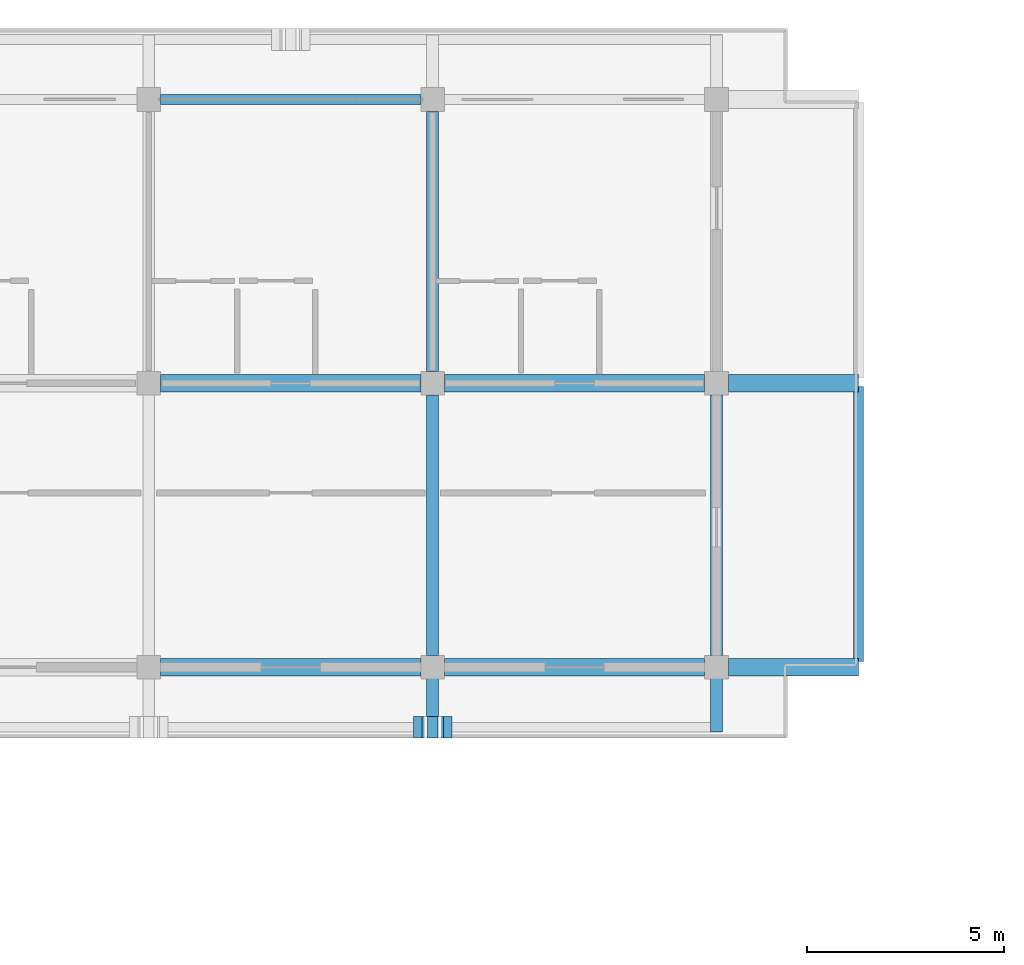
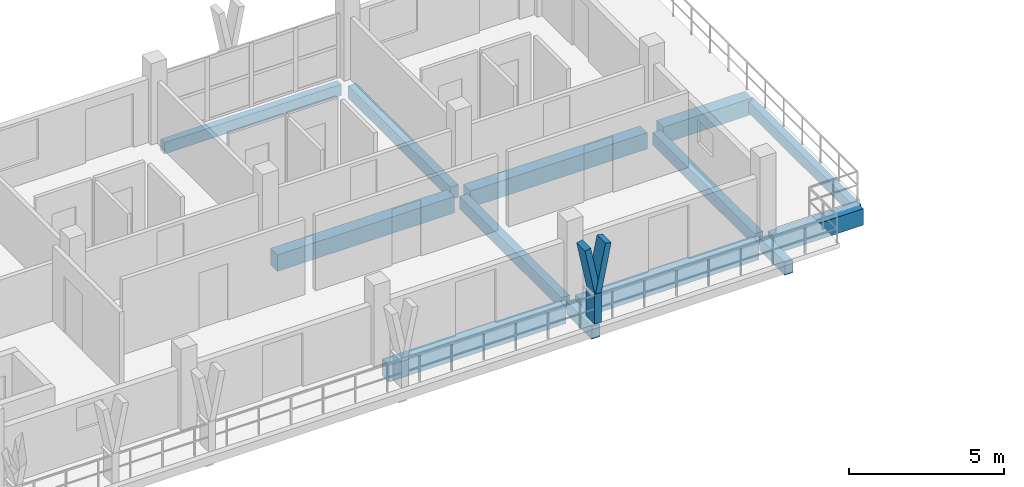
# One storey, part 14 of 56: 13 beams, 3 members.
"""IFC4 building model written with IfcOpenShell, lengths in metres."""

from ifc_helpers import new_model, si_unit, direction, frame, origin, origin_2d, place, context, subcontext, project, spatial, rectangle, extrude, material, material_profile, profile_set, type_object, element, save


model = new_model("IFC4")

# Units and contexts
model_context = context("Model", 3, precision=1e-05, world=origin(), true_north=direction((0.0, 1.0)))
body_context = subcontext(model_context, "Body", "Model", "MODEL_VIEW")
ifc_project = project(units=[si_unit("LENGTHUNIT", "METRE"), si_unit("AREAUNIT", "SQUARE_METRE"), si_unit("VOLUMEUNIT", "CUBIC_METRE"), si_unit("PLANEANGLEUNIT", "RADIAN"), si_unit("MASSUNIT", "GRAM", prefix="KILO")], contexts=[model_context])

# Site, building, storey
site_placement = place(None, origin())
site = spatial("IfcSite", under=ifc_project, at=site_placement, CompositionType="ELEMENT")
building_placement = place(site_placement, origin())
building = spatial("IfcBuilding", under=site, at=building_placement, Name="Suanplinth Sawtooth Commons", CompositionType="ELEMENT")
storey_placement = place(building_placement, frame((0.0, 0.0, 34.800048828125)))
storey = spatial("IfcBuildingStorey", under=building, at=storey_placement, Name="L10", CompositionType="ELEMENT", Elevation=34.800048828125)

# Beams
ifc_material_1 = material(Name="Precast concrete C40/50", Category="concrete")
ifc_material_profile_1 = material_profile(ifc_material_1, rectangle(XDim=0.449951171875, YDim=0.64990234375, at=origin_2d()), Name="PC-GDR 450x650")
ifc_profile_set_1 = profile_set([ifc_material_profile_1], Name="Precast concrete C40/50")
beam_type_1 = type_object("IfcBeamType", Name="B-04", PredefinedType="USERDEFINED", material=ifc_profile_set_1)
for number, where, z_axis, x_axis, name in (
    (1, (79.5, 108.0, -0.545166015625), (1.0, 0.0, 0.0), (0.0, 1.0, 0.0), "BMX-L10-A-11-15"),
    (2, (79.5, 115.199951171875, -0.545166015625), (1.0, 0.0, 0.0), (0.0, 1.0, 0.0), "BMX-L10-A-11-16"),
    (3, (86.699951171875, 108.0, -0.545166015625), (1.0, 0.0, 0.0), (0.0, 1.0, 0.0), "BMX-L10-A-12-15"),
    (4, (86.699951171875, 115.199951171875, -0.545166015625), (1.0, 0.0, 0.0), (0.0, 1.0, 0.0), "BMX-L10-A-12-16"),
):
    element("IfcBeam", number, at=place(storey_placement, frame(where, z_axis=z_axis, x_axis=x_axis)), inside=storey, type_object=beam_type_1, Name=name, ObjectType="GIRDER", PredefinedType="USERDEFINED", context=body_context, shape_type="SweptSolid", body=[
        extrude(rectangle(XDim=0.449951171875, YDim=0.64990234375, at=origin_2d()), origin(), (0.0, 0.0, 1.0), 6.60009765625),
    ])
for number, where, z_axis, x_axis, name in (
    (5, (93.89990234375, 108.0, -0.545166015625), (1.0, 0.0, 0.0), (0.0, 1.0, 0.0), "BMX-L10-A-ECANT-15"),
    (6, (93.89990234375, 115.199951171875, -0.545166015625), (1.0, 0.0, 0.0), (0.0, 1.0, 0.0), "BMX-L10-A-ECANT-16"),
):
    element("IfcBeam", number, at=place(storey_placement, frame(where, z_axis=z_axis, x_axis=x_axis)), inside=storey, type_object=beam_type_1, Name=name, ObjectType="GIRDER", PredefinedType="USERDEFINED", context=body_context, shape_type="SweptSolid", body=[
        extrude(rectangle(XDim=0.449951171875, YDim=0.64990234375, at=origin_2d()), origin(), (0.0, 0.0, 1.0), 3.300048828125),
    ])
ifc_material_profile_2 = material_profile(ifc_material_1, rectangle(XDim=0.300048828125, YDim=0.5, at=origin_2d()), Name="PC-BM 300x500")
ifc_profile_set_2 = profile_set([ifc_material_profile_2], Name="Precast concrete C40/50")
beam_type_2 = type_object("IfcBeamType", Name="B-07", PredefinedType="BEAM", material=ifc_profile_set_2)
beam_1_placement = place(storey_placement, frame((86.39990234375, 108.300048828125, -0.469970703125), z_axis=(0.0, 1.0, 0.0), x_axis=(-1.0, 0.0, 0.0)))
element("IfcBeam", 7, at=beam_1_placement, inside=storey, type_object=beam_type_2, Name="BMY-L10-A-12-15", PredefinedType="BEAM", context=body_context, shape_type="SweptSolid", body=[
    extrude(rectangle(XDim=0.300048828125, YDim=0.5, at=origin_2d()), origin(), (0.0, 0.0, 1.0), 6.599853515625),
])
beam_2_placement = place(storey_placement, frame((86.39990234375, 115.5, -0.469970703125), z_axis=(0.0, 1.0, 0.0), x_axis=(-1.0, 0.0, 0.0)))
element("IfcBeam", 8, at=beam_2_placement, inside=storey, type_object=beam_type_2, Name="BMY-L10-A-12-16", PredefinedType="BEAM", context=body_context, shape_type="SweptSolid", body=[
    extrude(rectangle(XDim=0.300048828125, YDim=0.5, at=origin_2d()), origin(), (0.0, 0.0, 1.0), 6.60009765625),
])
beam_3_placement = place(storey_placement, frame((93.60009765625, 108.300048828125, -0.469970703125), z_axis=(0.0, 1.0, 0.0), x_axis=(-1.0, 0.0, 0.0)))
element("IfcBeam", 9, at=beam_3_placement, inside=storey, type_object=beam_type_2, Name="BMY-L10-A-13-15", PredefinedType="BEAM", context=body_context, shape_type="SweptSolid", body=[
    extrude(rectangle(XDim=0.300048828125, YDim=0.5, at=origin_2d()), origin(), (0.0, 0.0, 1.0), 6.599853515625),
])
for number, where, z_axis, x_axis, name in (
    (10, (86.39990234375, 108.0, -0.429931640625), (0.0, -1.0, 0.0), (1.0, 0.0, 0.0), "Balcony Outrigger L10-A-S-12"),
    (11, (93.60009765625, 108.0, -0.429931640625), (0.0, -1.0, 0.0), (1.0, 0.0, 0.0), "Balcony Outrigger L10-A-S-13"),
):
    element("IfcBeam", number, at=place(storey_placement, frame(where, z_axis=z_axis, x_axis=x_axis)), inside=storey, type_object=beam_type_2, Name=name, PredefinedType="BEAM", context=body_context, shape_type="SweptSolid", body=[
        extrude(rectangle(XDim=0.300048828125, YDim=0.5, at=origin_2d()), origin(), (0.0, 0.0, 1.0), 1.639892578125),
    ])
ifc_material_profile_3 = material_profile(ifc_material_1, rectangle(XDim=0.25, YDim=0.449951171875, at=origin_2d()), Name="PC-SP 250x450")
ifc_profile_set_3 = profile_set([ifc_material_profile_3], Name="Precast concrete C40/50")
beam_type_3 = type_object("IfcBeamType", Name="B-09", PredefinedType="SPANDREL", material=ifc_profile_set_3)
beam_4_placement = place(storey_placement, frame((79.5, 122.39990234375, -0.445068359375), z_axis=(1.0, 0.0, 0.0), x_axis=(0.0, 1.0, 0.0)))
element("IfcBeam", 12, at=beam_4_placement, inside=storey, type_object=beam_type_3, Name="BMX-L10-A-11-17", PredefinedType="SPANDREL", context=body_context, shape_type="SweptSolid", body=[
    extrude(rectangle(XDim=0.25, YDim=0.449951171875, at=origin_2d()), origin(), (0.0, 0.0, 1.0), 6.60009765625),
])
beam_5_placement = place(storey_placement, frame((97.199951171875, 108.139892578125, -0.545166015625), z_axis=(0.0, 1.0, 0.0), x_axis=(-1.0, 0.0, 0.0)))
element("IfcBeam", 13, at=beam_5_placement, inside=storey, type_object=beam_type_3, Name="BMY-L10-A-STEP-972-15", PredefinedType="SPANDREL", context=body_context, shape_type="SweptSolid", body=[
    extrude(rectangle(XDim=0.25, YDim=0.449951171875, at=origin_2d()), origin(), (0.0, 0.0, 1.0), 6.980224609375),
])

# Members
ifc_material_2 = material(Name="Pigmented precast concrete C40/50", Category="concrete")
ifc_material_profile_4 = material_profile(ifc_material_2, rectangle(XDim=0.260009765625, YDim=0.550048828125, at=origin_2d()), Name="PC-FIN 260x550")
ifc_profile_set_4 = profile_set([ifc_material_profile_4], Name="Pigmented precast concrete C40/50")
member_type_1 = type_object("IfcMemberType", Name="M-09", PredefinedType="USERDEFINED", material=ifc_profile_set_4)
member_1_placement = place(storey_placement, frame((86.39990234375, 106.47998046875, 0.0), z_axis=(0.0, 0.0, 1.0), x_axis=(1.0, 0.0, 0.0)))
element("IfcMember", 14, at=member_1_placement, inside=storey, type_object=member_type_1, Name="Y-Blade Stem L10-A-S-18", ObjectType="SHADING FIN", PredefinedType="USERDEFINED", context=body_context, shape_type="SweptSolid", body=[
    extrude(rectangle(XDim=0.260009765625, YDim=0.550048828125, at=origin_2d()), origin(), (0.0, 0.0, 1.0), 1.169921875),
])
ifc_material_profile_5 = material_profile(ifc_material_2, rectangle(XDim=0.219970703125, YDim=0.550048828125, at=origin_2d()), Name="PC-FIN 220x550")
ifc_profile_set_5 = profile_set([ifc_material_profile_5], Name="Pigmented precast concrete C40/50")
member_type_2 = type_object("IfcMemberType", Name="M-10", PredefinedType="USERDEFINED", material=ifc_profile_set_5)
member_2_placement = place(storey_placement, frame((86.39990234375, 106.47998046875, 1.1298828125), z_axis=(-0.196285728346, 0.0, 0.980546741796), x_axis=(0.980546741796, 0.0, 0.196285728346)))
element("IfcMember", 15, at=member_2_placement, inside=storey, type_object=member_type_2, Name="Y-Blade Arm L L10-A-S-18", ObjectType="SHADING FIN", PredefinedType="USERDEFINED", context=body_context, shape_type="SweptSolid", body=[
    extrude(rectangle(XDim=0.219970703125, YDim=0.550048828125, at=origin_2d()), origin(), (0.0, 0.0, 1.0), 1.937744140625),
])
member_3_placement = place(storey_placement, frame((86.39990234375, 106.47998046875, 1.1298828125), z_axis=(0.196406855569, 0.0, 0.980522486782), x_axis=(-0.980522486782, 0.0, 0.196406855569)))
element("IfcMember", 16, at=member_3_placement, inside=storey, type_object=member_type_2, Name="Y-Blade Arm R L10-A-S-18", ObjectType="SHADING FIN", PredefinedType="USERDEFINED", context=body_context, shape_type="SweptSolid", body=[
    extrude(rectangle(XDim=0.219970703125, YDim=0.550048828125, at=origin_2d()), origin(), (0.0, 0.0, 1.0), 1.93798828125),
])

save(model, "model.ifc")
